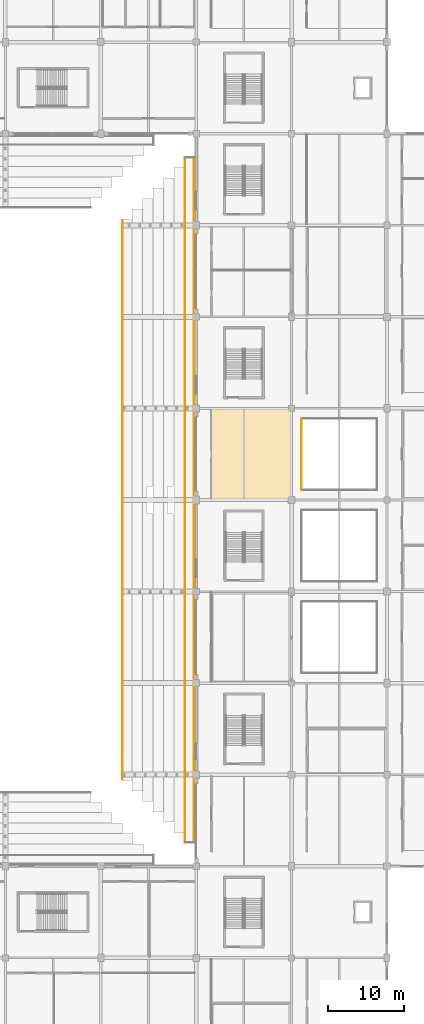
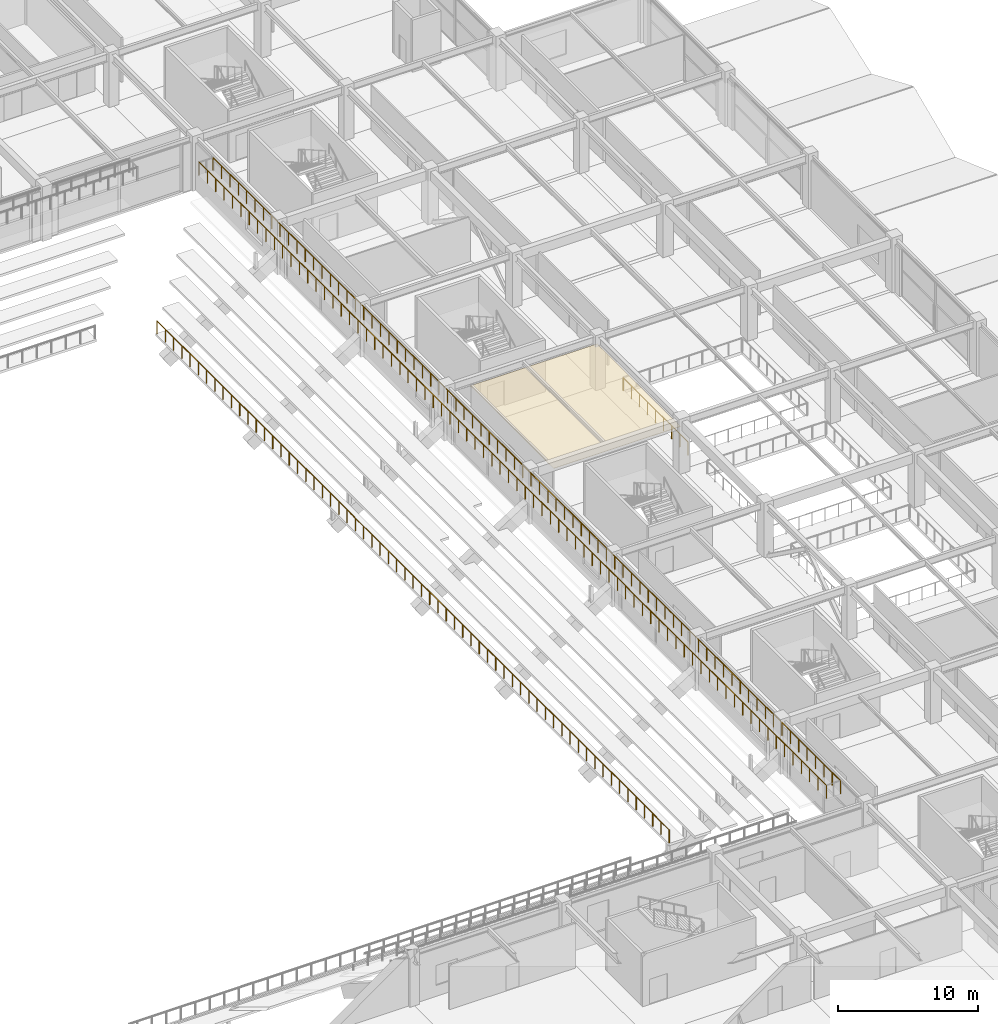
# One storey, part 120 of 134: 4 railings, 1 covering.
"""IFC4 building model written with IfcOpenShell, lengths in metres."""

from ifc_helpers import new_model, si_unit, direction, frame, origin, origin_2d, place, context, subcontext, project, spatial, polyline, circle, outline, extrude, material, layer, layer_set, type_object, element, save


model = new_model("IFC4")

# Units and contexts
model_context = context("Model", 3, precision=1e-05, world=origin(), true_north=direction((0.0, 1.0)))
body_context = subcontext(model_context, "Body", "Model", "MODEL_VIEW")
ifc_project = project(units=[si_unit("LENGTHUNIT", "METRE"), si_unit("AREAUNIT", "SQUARE_METRE"), si_unit("VOLUMEUNIT", "CUBIC_METRE"), si_unit("PLANEANGLEUNIT", "RADIAN"), si_unit("MASSUNIT", "GRAM", prefix="KILO")], contexts=[model_context])

# Site, building, storey
site_placement = place(None, origin())
site = spatial("IfcSite", under=ifc_project, at=site_placement, CompositionType="ELEMENT")
building_placement = place(site_placement, origin())
building = spatial("IfcBuilding", under=site, at=building_placement, Name="Kazenohara Klinker Stadium", CompositionType="ELEMENT")
storey_placement = place(building_placement, frame((0.0, 0.0, 5.39990234375)))
storey = spatial("IfcBuildingStorey", under=building, at=storey_placement, Name="L01", CompositionType="ELEMENT", Elevation=5.39990234375)

# Covering
ifc_material_1 = material(Name="Perforated acoustic mineral-fibre ceiling tile", Category="gypsum")
ifc_layer_1 = layer(ifc_material_1, 0.030029296875)
ifc_layer_set_1 = layer_set([ifc_layer_1], Name="Perforated acoustic mineral-fibre ceiling tile")
covering_type = type_object("IfcCoveringType", Name="COV-CEIL-01", PredefinedType="CEILING", material=ifc_layer_set_1)
covering_placement = place(storey_placement, frame((0.0, 0.0, 3.75)))
element("IfcCovering", 1, at=covering_placement, inside=storey, type_object=covering_type, Name="Suspended acoustic ceiling CL01 Family Sensory Hospitality Lounge L01-1407A", PredefinedType="CEILING", context=body_context, shape_type="SweptSolid", body=[
    extrude(outline(polyline([(176.9599609375, 84.0400390625), (187.43994140625, 84.0400390625), (187.43994140625, 95.9599609375), (176.9599609375, 95.9599609375), (176.9599609375, 84.0400390625)])), origin(), (0.0, 0.0, 1.0), 0.030029296875),
])

# Railings
ifc_material_2 = material(Name="Tempered laminated glass and stainless steel 316 balustrade", Category="steel")
ifc_layer_2 = layer(ifc_material_2, 0.090087890625)
ifc_layer_set_2 = layer_set([ifc_layer_2], Name="Tempered laminated glass and stainless steel 316 balustrade")
railing_type_1 = type_object("IfcRailingType", Name="RL-BAL-1150", PredefinedType="BALUSTRADE", material=ifc_layer_set_2)
railing_1_placement = place(storey_placement, frame((188.820068359375, 85.3701171875, 0.0)))
element("IfcRailing", 2, at=railing_1_placement, inside=storey, type_object=railing_type_1, Name="Double-height atrium gallery balustrade BL01-V07-W", PredefinedType="BALUSTRADE", context=body_context, shape_type="SweptSolid", body=[
    extrude(circle(Radius=0.02392578125, at=origin_2d()), frame((0.0, 0.0, 1.1259765625), z_axis=(0.0, 1.0, 0.0), x_axis=(-1.0, 0.0, 0.0)), (0.0, 0.0, 1.0), 9.259765625),
    extrude(circle(Radius=0.02099609375, at=origin_2d()), origin(), (0.0, 0.0, 1.0), 1.101806640625),
    extrude(circle(Radius=0.02099609375, at=origin_2d()), frame((0.0, 1.157470703125, 0.0)), (0.0, 0.0, 1.0), 1.101806640625),
    extrude(circle(Radius=0.02099609375, at=origin_2d()), frame((0.0, 2.31494140625, 0.0)), (0.0, 0.0, 1.0), 1.101806640625),
    extrude(circle(Radius=0.02099609375, at=origin_2d()), frame((0.0, 3.472412109375, 0.0)), (0.0, 0.0, 1.0), 1.101806640625),
    extrude(circle(Radius=0.02099609375, at=origin_2d()), frame((0.0, 4.6298828125, 0.0)), (0.0, 0.0, 1.0), 1.101806640625),
    extrude(circle(Radius=0.02099609375, at=origin_2d()), frame((0.0, 5.787353515625, 0.0)), (0.0, 0.0, 1.0), 1.101806640625),
    extrude(circle(Radius=0.02099609375, at=origin_2d()), frame((0.0, 6.94482421875, 0.0)), (0.0, 0.0, 1.0), 1.101806640625),
    extrude(circle(Radius=0.02099609375, at=origin_2d()), frame((0.0, 8.102294921875, 0.0)), (0.0, 0.0, 1.0), 1.101806640625),
    extrude(circle(Radius=0.02099609375, at=origin_2d()), frame((0.0, 9.259765625, 0.0)), (0.0, 0.0, 1.0), 1.101806640625),
])
ifc_material_3 = material(Name="Galvanised powder-coated steel guardrail", Category="steel")
ifc_layer_3 = layer(ifc_material_3, 0.070068359375)
ifc_layer_set_3 = layer_set([ifc_layer_3], Name="Galvanised powder-coated steel guardrail")
railing_type_2 = type_object("IfcRailingType", Name="RL-GRD-1150", PredefinedType="GUARDRAIL", material=ifc_layer_set_3)
railing_2_placement = place(storey_placement, frame((173.548583984375, 39.09130859375, 3.400146484375)))
element("IfcRailing", 3, at=railing_2_placement, inside=storey, type_object=railing_type_2, Name="Spectator stand sightline guardrail TIER-LOWER-E-01-W", PredefinedType="GUARDRAIL", context=body_context, shape_type="SweptSolid", body=[
    extrude(circle(Radius=0.02392578125, at=origin_2d()), frame((0.0, 0.0, 1.1259765625), z_axis=(0.0, 1.0, 0.0), x_axis=(-1.0, 0.0, 0.0)), (0.0, 0.0, 1.0), 89.8173828125),
    extrude(circle(Radius=0.02099609375, at=origin_2d()), origin(), (0.0, 0.0, 1.0), 1.101806640625),
    extrude(circle(Radius=0.02099609375, at=origin_2d()), frame((0.0, 1.197509765625, 0.0)), (0.0, 0.0, 1.0), 1.101806640625),
    extrude(circle(Radius=0.02099609375, at=origin_2d()), frame((0.0, 2.39501953125, 0.0)), (0.0, 0.0, 1.0), 1.101806640625),
    extrude(circle(Radius=0.02099609375, at=origin_2d()), frame((0.0, 3.5927734375, 0.0)), (0.0, 0.0, 1.0), 1.101806640625),
    extrude(circle(Radius=0.02099609375, at=origin_2d()), frame((0.0, 4.790283203125, 0.0)), (0.0, 0.0, 1.0), 1.101806640625),
    extrude(circle(Radius=0.02099609375, at=origin_2d()), frame((0.0, 5.98779296875, 0.0)), (0.0, 0.0, 1.0), 1.101806640625),
    extrude(circle(Radius=0.02099609375, at=origin_2d()), frame((0.0, 7.185302734375, 0.0)), (0.0, 0.0, 1.0), 1.101806640625),
    extrude(circle(Radius=0.02099609375, at=origin_2d()), frame((0.0, 8.383056640625, 0.0)), (0.0, 0.0, 1.0), 1.101806640625),
    extrude(circle(Radius=0.02099609375, at=origin_2d()), frame((0.0, 9.58056640625, 0.0)), (0.0, 0.0, 1.0), 1.101806640625),
    extrude(circle(Radius=0.02099609375, at=origin_2d()), frame((0.0, 10.778076171875, 0.0)), (0.0, 0.0, 1.0), 1.101806640625),
    extrude(circle(Radius=0.02099609375, at=origin_2d()), frame((0.0, 11.9755859375, 0.0)), (0.0, 0.0, 1.0), 1.101806640625),
    extrude(circle(Radius=0.02099609375, at=origin_2d()), frame((0.0, 13.173095703125, 0.0)), (0.0, 0.0, 1.0), 1.101806640625),
    extrude(circle(Radius=0.02099609375, at=origin_2d()), frame((0.0, 14.370849609375, 0.0)), (0.0, 0.0, 1.0), 1.101806640625),
    extrude(circle(Radius=0.02099609375, at=origin_2d()), frame((0.0, 15.568359375, 0.0)), (0.0, 0.0, 1.0), 1.101806640625),
    extrude(circle(Radius=0.02099609375, at=origin_2d()), frame((0.0, 16.765869140625, 0.0)), (0.0, 0.0, 1.0), 1.101806640625),
    extrude(circle(Radius=0.02099609375, at=origin_2d()), frame((0.0, 17.96337890625, 0.0)), (0.0, 0.0, 1.0), 1.101806640625),
    extrude(circle(Radius=0.02099609375, at=origin_2d()), frame((0.0, 19.1611328125, 0.0)), (0.0, 0.0, 1.0), 1.101806640625),
    extrude(circle(Radius=0.02099609375, at=origin_2d()), frame((0.0, 20.358642578125, 0.0)), (0.0, 0.0, 1.0), 1.101806640625),
    extrude(circle(Radius=0.02099609375, at=origin_2d()), frame((0.0, 21.55615234375, 0.0)), (0.0, 0.0, 1.0), 1.101806640625),
    extrude(circle(Radius=0.02099609375, at=origin_2d()), frame((0.0, 22.753662109375, 0.0)), (0.0, 0.0, 1.0), 1.101806640625),
    extrude(circle(Radius=0.02099609375, at=origin_2d()), frame((0.0, 23.951416015625, 0.0)), (0.0, 0.0, 1.0), 1.101806640625),
    extrude(circle(Radius=0.02099609375, at=origin_2d()), frame((0.0, 25.14892578125, 0.0)), (0.0, 0.0, 1.0), 1.101806640625),
    extrude(circle(Radius=0.02099609375, at=origin_2d()), frame((0.0, 26.346435546875, 0.0)), (0.0, 0.0, 1.0), 1.101806640625),
    extrude(circle(Radius=0.02099609375, at=origin_2d()), frame((0.0, 27.5439453125, 0.0)), (0.0, 0.0, 1.0), 1.101806640625),
    extrude(circle(Radius=0.02099609375, at=origin_2d()), frame((0.0, 28.741455078125, 0.0)), (0.0, 0.0, 1.0), 1.101806640625),
    extrude(circle(Radius=0.02099609375, at=origin_2d()), frame((0.0, 29.939208984375, 0.0)), (0.0, 0.0, 1.0), 1.101806640625),
    extrude(circle(Radius=0.02099609375, at=origin_2d()), frame((0.0, 31.13671875, 0.0)), (0.0, 0.0, 1.0), 1.101806640625),
    extrude(circle(Radius=0.02099609375, at=origin_2d()), frame((0.0, 32.334228515625, 0.0)), (0.0, 0.0, 1.0), 1.101806640625),
    extrude(circle(Radius=0.02099609375, at=origin_2d()), frame((0.0, 33.53173828125, 0.0)), (0.0, 0.0, 1.0), 1.101806640625),
    extrude(circle(Radius=0.02099609375, at=origin_2d()), frame((0.0, 34.7294921875, 0.0)), (0.0, 0.0, 1.0), 1.101806640625),
    extrude(circle(Radius=0.02099609375, at=origin_2d()), frame((0.0, 35.927001953125, 0.0)), (0.0, 0.0, 1.0), 1.101806640625),
    extrude(circle(Radius=0.02099609375, at=origin_2d()), frame((0.0, 37.12451171875, 0.0)), (0.0, 0.0, 1.0), 1.101806640625),
    extrude(circle(Radius=0.02099609375, at=origin_2d()), frame((0.0, 38.322021484375, 0.0)), (0.0, 0.0, 1.0), 1.101806640625),
    extrude(circle(Radius=0.02099609375, at=origin_2d()), frame((0.0, 39.51953125, 0.0)), (0.0, 0.0, 1.0), 1.101806640625),
    extrude(circle(Radius=0.02099609375, at=origin_2d()), frame((0.0, 40.71728515625, 0.0)), (0.0, 0.0, 1.0), 1.101806640625),
    extrude(circle(Radius=0.02099609375, at=origin_2d()), frame((0.0, 41.914794921875, 0.0)), (0.0, 0.0, 1.0), 1.101806640625),
    extrude(circle(Radius=0.02099609375, at=origin_2d()), frame((0.0, 43.1123046875, 0.0)), (0.0, 0.0, 1.0), 1.101806640625),
    extrude(circle(Radius=0.02099609375, at=origin_2d()), frame((0.0, 44.309814453125, 0.0)), (0.0, 0.0, 1.0), 1.101806640625),
    extrude(circle(Radius=0.02099609375, at=origin_2d()), frame((0.0, 45.507568359375, 0.0)), (0.0, 0.0, 1.0), 1.101806640625),
    extrude(circle(Radius=0.02099609375, at=origin_2d()), frame((0.0, 46.705078125, 0.0)), (0.0, 0.0, 1.0), 1.101806640625),
    extrude(circle(Radius=0.02099609375, at=origin_2d()), frame((0.0, 47.902587890625, 0.0)), (0.0, 0.0, 1.0), 1.101806640625),
    extrude(circle(Radius=0.02099609375, at=origin_2d()), frame((0.0, 49.10009765625, 0.0)), (0.0, 0.0, 1.0), 1.101806640625),
    extrude(circle(Radius=0.02099609375, at=origin_2d()), frame((0.0, 50.2978515625, 0.0)), (0.0, 0.0, 1.0), 1.101806640625),
    extrude(circle(Radius=0.02099609375, at=origin_2d()), frame((0.0, 51.495361328125, 0.0)), (0.0, 0.0, 1.0), 1.101806640625),
    extrude(circle(Radius=0.02099609375, at=origin_2d()), frame((0.0, 52.69287109375, 0.0)), (0.0, 0.0, 1.0), 1.101806640625),
    extrude(circle(Radius=0.02099609375, at=origin_2d()), frame((0.0, 53.890380859375, 0.0)), (0.0, 0.0, 1.0), 1.101806640625),
    extrude(circle(Radius=0.02099609375, at=origin_2d()), frame((0.0, 55.087890625, 0.0)), (0.0, 0.0, 1.0), 1.101806640625),
    extrude(circle(Radius=0.02099609375, at=origin_2d()), frame((0.0, 56.28564453125, 0.0)), (0.0, 0.0, 1.0), 1.101806640625),
    extrude(circle(Radius=0.02099609375, at=origin_2d()), frame((0.0, 57.483154296875, 0.0)), (0.0, 0.0, 1.0), 1.101806640625),
    extrude(circle(Radius=0.02099609375, at=origin_2d()), frame((0.0, 58.6806640625, 0.0)), (0.0, 0.0, 1.0), 1.101806640625),
    extrude(circle(Radius=0.02099609375, at=origin_2d()), frame((0.0, 59.878173828125, 0.0)), (0.0, 0.0, 1.0), 1.101806640625),
    extrude(circle(Radius=0.02099609375, at=origin_2d()), frame((0.0, 61.075927734375, 0.0)), (0.0, 0.0, 1.0), 1.101806640625),
    extrude(circle(Radius=0.02099609375, at=origin_2d()), frame((0.0, 62.2734375, 0.0)), (0.0, 0.0, 1.0), 1.101806640625),
    extrude(circle(Radius=0.02099609375, at=origin_2d()), frame((0.0, 63.470947265625, 0.0)), (0.0, 0.0, 1.0), 1.101806640625),
    extrude(circle(Radius=0.02099609375, at=origin_2d()), frame((0.0, 64.66845703125, 0.0)), (0.0, 0.0, 1.0), 1.101806640625),
    extrude(circle(Radius=0.02099609375, at=origin_2d()), frame((0.0, 65.865966796875, 0.0)), (0.0, 0.0, 1.0), 1.101806640625),
    extrude(circle(Radius=0.02099609375, at=origin_2d()), frame((0.0, 67.063720703125, 0.0)), (0.0, 0.0, 1.0), 1.101806640625),
    extrude(circle(Radius=0.02099609375, at=origin_2d()), frame((0.0, 68.26123046875, 0.0)), (0.0, 0.0, 1.0), 1.101806640625),
    extrude(circle(Radius=0.02099609375, at=origin_2d()), frame((0.0, 69.458740234375, 0.0)), (0.0, 0.0, 1.0), 1.101806640625),
    extrude(circle(Radius=0.02099609375, at=origin_2d()), frame((0.0, 70.65625, 0.0)), (0.0, 0.0, 1.0), 1.101806640625),
    extrude(circle(Radius=0.02099609375, at=origin_2d()), frame((0.0, 71.85400390625, 0.0)), (0.0, 0.0, 1.0), 1.101806640625),
    extrude(circle(Radius=0.02099609375, at=origin_2d()), frame((0.0, 73.051513671875, 0.0)), (0.0, 0.0, 1.0), 1.101806640625),
    extrude(circle(Radius=0.02099609375, at=origin_2d()), frame((0.0, 74.2490234375, 0.0)), (0.0, 0.0, 1.0), 1.101806640625),
    extrude(circle(Radius=0.02099609375, at=origin_2d()), frame((0.0, 75.446533203125, 0.0)), (0.0, 0.0, 1.0), 1.101806640625),
    extrude(circle(Radius=0.02099609375, at=origin_2d()), frame((0.0, 76.644287109375, 0.0)), (0.0, 0.0, 1.0), 1.101806640625),
    extrude(circle(Radius=0.02099609375, at=origin_2d()), frame((0.0, 77.841796875, 0.0)), (0.0, 0.0, 1.0), 1.101806640625),
    extrude(circle(Radius=0.02099609375, at=origin_2d()), frame((0.0, 79.039306640625, 0.0)), (0.0, 0.0, 1.0), 1.101806640625),
    extrude(circle(Radius=0.02099609375, at=origin_2d()), frame((0.0, 80.23681640625, 0.0)), (0.0, 0.0, 1.0), 1.101806640625),
    extrude(circle(Radius=0.02099609375, at=origin_2d()), frame((0.0, 81.434326171875, 0.0)), (0.0, 0.0, 1.0), 1.101806640625),
    extrude(circle(Radius=0.02099609375, at=origin_2d()), frame((0.0, 82.632080078125, 0.0)), (0.0, 0.0, 1.0), 1.101806640625),
    extrude(circle(Radius=0.02099609375, at=origin_2d()), frame((0.0, 83.82958984375, 0.0)), (0.0, 0.0, 1.0), 1.101806640625),
    extrude(circle(Radius=0.02099609375, at=origin_2d()), frame((0.0, 85.027099609375, 0.0)), (0.0, 0.0, 1.0), 1.101806640625),
    extrude(circle(Radius=0.02099609375, at=origin_2d()), frame((0.0, 86.224609375, 0.0)), (0.0, 0.0, 1.0), 1.101806640625),
    extrude(circle(Radius=0.02099609375, at=origin_2d()), frame((0.0, 87.42236328125, 0.0)), (0.0, 0.0, 1.0), 1.101806640625),
    extrude(circle(Radius=0.02099609375, at=origin_2d()), frame((0.0, 88.619873046875, 0.0)), (0.0, 0.0, 1.0), 1.101806640625),
    extrude(circle(Radius=0.02099609375, at=origin_2d()), frame((0.0, 89.8173828125, 0.0)), (0.0, 0.0, 1.0), 1.101806640625),
])
railing_3_placement = place(storey_placement, frame((174.719970703125, 39.09130859375, 3.400146484375)))
element("IfcRailing", 4, at=railing_3_placement, inside=storey, type_object=railing_type_2, Name="Spectator stand sightline guardrail TIER-LOWER-E-01-E", PredefinedType="GUARDRAIL", context=body_context, shape_type="SweptSolid", body=[
    extrude(circle(Radius=0.02392578125, at=origin_2d()), frame((0.0, 0.0, 1.1259765625), z_axis=(0.0, 1.0, 0.0), x_axis=(-1.0, 0.0, 0.0)), (0.0, 0.0, 1.0), 89.8173828125),
    extrude(circle(Radius=0.02099609375, at=origin_2d()), origin(), (0.0, 0.0, 1.0), 1.101806640625),
    extrude(circle(Radius=0.02099609375, at=origin_2d()), frame((0.0, 1.197509765625, 0.0)), (0.0, 0.0, 1.0), 1.101806640625),
    extrude(circle(Radius=0.02099609375, at=origin_2d()), frame((0.0, 2.39501953125, 0.0)), (0.0, 0.0, 1.0), 1.101806640625),
    extrude(circle(Radius=0.02099609375, at=origin_2d()), frame((0.0, 3.5927734375, 0.0)), (0.0, 0.0, 1.0), 1.101806640625),
    extrude(circle(Radius=0.02099609375, at=origin_2d()), frame((0.0, 4.790283203125, 0.0)), (0.0, 0.0, 1.0), 1.101806640625),
    extrude(circle(Radius=0.02099609375, at=origin_2d()), frame((0.0, 5.98779296875, 0.0)), (0.0, 0.0, 1.0), 1.101806640625),
    extrude(circle(Radius=0.02099609375, at=origin_2d()), frame((0.0, 7.185302734375, 0.0)), (0.0, 0.0, 1.0), 1.101806640625),
    extrude(circle(Radius=0.02099609375, at=origin_2d()), frame((0.0, 8.383056640625, 0.0)), (0.0, 0.0, 1.0), 1.101806640625),
    extrude(circle(Radius=0.02099609375, at=origin_2d()), frame((0.0, 9.58056640625, 0.0)), (0.0, 0.0, 1.0), 1.101806640625),
    extrude(circle(Radius=0.02099609375, at=origin_2d()), frame((0.0, 10.778076171875, 0.0)), (0.0, 0.0, 1.0), 1.101806640625),
    extrude(circle(Radius=0.02099609375, at=origin_2d()), frame((0.0, 11.9755859375, 0.0)), (0.0, 0.0, 1.0), 1.101806640625),
    extrude(circle(Radius=0.02099609375, at=origin_2d()), frame((0.0, 13.173095703125, 0.0)), (0.0, 0.0, 1.0), 1.101806640625),
    extrude(circle(Radius=0.02099609375, at=origin_2d()), frame((0.0, 14.370849609375, 0.0)), (0.0, 0.0, 1.0), 1.101806640625),
    extrude(circle(Radius=0.02099609375, at=origin_2d()), frame((0.0, 15.568359375, 0.0)), (0.0, 0.0, 1.0), 1.101806640625),
    extrude(circle(Radius=0.02099609375, at=origin_2d()), frame((0.0, 16.765869140625, 0.0)), (0.0, 0.0, 1.0), 1.101806640625),
    extrude(circle(Radius=0.02099609375, at=origin_2d()), frame((0.0, 17.96337890625, 0.0)), (0.0, 0.0, 1.0), 1.101806640625),
    extrude(circle(Radius=0.02099609375, at=origin_2d()), frame((0.0, 19.1611328125, 0.0)), (0.0, 0.0, 1.0), 1.101806640625),
    extrude(circle(Radius=0.02099609375, at=origin_2d()), frame((0.0, 20.358642578125, 0.0)), (0.0, 0.0, 1.0), 1.101806640625),
    extrude(circle(Radius=0.02099609375, at=origin_2d()), frame((0.0, 21.55615234375, 0.0)), (0.0, 0.0, 1.0), 1.101806640625),
    extrude(circle(Radius=0.02099609375, at=origin_2d()), frame((0.0, 22.753662109375, 0.0)), (0.0, 0.0, 1.0), 1.101806640625),
    extrude(circle(Radius=0.02099609375, at=origin_2d()), frame((0.0, 23.951416015625, 0.0)), (0.0, 0.0, 1.0), 1.101806640625),
    extrude(circle(Radius=0.02099609375, at=origin_2d()), frame((0.0, 25.14892578125, 0.0)), (0.0, 0.0, 1.0), 1.101806640625),
    extrude(circle(Radius=0.02099609375, at=origin_2d()), frame((0.0, 26.346435546875, 0.0)), (0.0, 0.0, 1.0), 1.101806640625),
    extrude(circle(Radius=0.02099609375, at=origin_2d()), frame((0.0, 27.5439453125, 0.0)), (0.0, 0.0, 1.0), 1.101806640625),
    extrude(circle(Radius=0.02099609375, at=origin_2d()), frame((0.0, 28.741455078125, 0.0)), (0.0, 0.0, 1.0), 1.101806640625),
    extrude(circle(Radius=0.02099609375, at=origin_2d()), frame((0.0, 29.939208984375, 0.0)), (0.0, 0.0, 1.0), 1.101806640625),
    extrude(circle(Radius=0.02099609375, at=origin_2d()), frame((0.0, 31.13671875, 0.0)), (0.0, 0.0, 1.0), 1.101806640625),
    extrude(circle(Radius=0.02099609375, at=origin_2d()), frame((0.0, 32.334228515625, 0.0)), (0.0, 0.0, 1.0), 1.101806640625),
    extrude(circle(Radius=0.02099609375, at=origin_2d()), frame((0.0, 33.53173828125, 0.0)), (0.0, 0.0, 1.0), 1.101806640625),
    extrude(circle(Radius=0.02099609375, at=origin_2d()), frame((0.0, 34.7294921875, 0.0)), (0.0, 0.0, 1.0), 1.101806640625),
    extrude(circle(Radius=0.02099609375, at=origin_2d()), frame((0.0, 35.927001953125, 0.0)), (0.0, 0.0, 1.0), 1.101806640625),
    extrude(circle(Radius=0.02099609375, at=origin_2d()), frame((0.0, 37.12451171875, 0.0)), (0.0, 0.0, 1.0), 1.101806640625),
    extrude(circle(Radius=0.02099609375, at=origin_2d()), frame((0.0, 38.322021484375, 0.0)), (0.0, 0.0, 1.0), 1.101806640625),
    extrude(circle(Radius=0.02099609375, at=origin_2d()), frame((0.0, 39.51953125, 0.0)), (0.0, 0.0, 1.0), 1.101806640625),
    extrude(circle(Radius=0.02099609375, at=origin_2d()), frame((0.0, 40.71728515625, 0.0)), (0.0, 0.0, 1.0), 1.101806640625),
    extrude(circle(Radius=0.02099609375, at=origin_2d()), frame((0.0, 41.914794921875, 0.0)), (0.0, 0.0, 1.0), 1.101806640625),
    extrude(circle(Radius=0.02099609375, at=origin_2d()), frame((0.0, 43.1123046875, 0.0)), (0.0, 0.0, 1.0), 1.101806640625),
    extrude(circle(Radius=0.02099609375, at=origin_2d()), frame((0.0, 44.309814453125, 0.0)), (0.0, 0.0, 1.0), 1.101806640625),
    extrude(circle(Radius=0.02099609375, at=origin_2d()), frame((0.0, 45.507568359375, 0.0)), (0.0, 0.0, 1.0), 1.101806640625),
    extrude(circle(Radius=0.02099609375, at=origin_2d()), frame((0.0, 46.705078125, 0.0)), (0.0, 0.0, 1.0), 1.101806640625),
    extrude(circle(Radius=0.02099609375, at=origin_2d()), frame((0.0, 47.902587890625, 0.0)), (0.0, 0.0, 1.0), 1.101806640625),
    extrude(circle(Radius=0.02099609375, at=origin_2d()), frame((0.0, 49.10009765625, 0.0)), (0.0, 0.0, 1.0), 1.101806640625),
    extrude(circle(Radius=0.02099609375, at=origin_2d()), frame((0.0, 50.2978515625, 0.0)), (0.0, 0.0, 1.0), 1.101806640625),
    extrude(circle(Radius=0.02099609375, at=origin_2d()), frame((0.0, 51.495361328125, 0.0)), (0.0, 0.0, 1.0), 1.101806640625),
    extrude(circle(Radius=0.02099609375, at=origin_2d()), frame((0.0, 52.69287109375, 0.0)), (0.0, 0.0, 1.0), 1.101806640625),
    extrude(circle(Radius=0.02099609375, at=origin_2d()), frame((0.0, 53.890380859375, 0.0)), (0.0, 0.0, 1.0), 1.101806640625),
    extrude(circle(Radius=0.02099609375, at=origin_2d()), frame((0.0, 55.087890625, 0.0)), (0.0, 0.0, 1.0), 1.101806640625),
    extrude(circle(Radius=0.02099609375, at=origin_2d()), frame((0.0, 56.28564453125, 0.0)), (0.0, 0.0, 1.0), 1.101806640625),
    extrude(circle(Radius=0.02099609375, at=origin_2d()), frame((0.0, 57.483154296875, 0.0)), (0.0, 0.0, 1.0), 1.101806640625),
    extrude(circle(Radius=0.02099609375, at=origin_2d()), frame((0.0, 58.6806640625, 0.0)), (0.0, 0.0, 1.0), 1.101806640625),
    extrude(circle(Radius=0.02099609375, at=origin_2d()), frame((0.0, 59.878173828125, 0.0)), (0.0, 0.0, 1.0), 1.101806640625),
    extrude(circle(Radius=0.02099609375, at=origin_2d()), frame((0.0, 61.075927734375, 0.0)), (0.0, 0.0, 1.0), 1.101806640625),
    extrude(circle(Radius=0.02099609375, at=origin_2d()), frame((0.0, 62.2734375, 0.0)), (0.0, 0.0, 1.0), 1.101806640625),
    extrude(circle(Radius=0.02099609375, at=origin_2d()), frame((0.0, 63.470947265625, 0.0)), (0.0, 0.0, 1.0), 1.101806640625),
    extrude(circle(Radius=0.02099609375, at=origin_2d()), frame((0.0, 64.66845703125, 0.0)), (0.0, 0.0, 1.0), 1.101806640625),
    extrude(circle(Radius=0.02099609375, at=origin_2d()), frame((0.0, 65.865966796875, 0.0)), (0.0, 0.0, 1.0), 1.101806640625),
    extrude(circle(Radius=0.02099609375, at=origin_2d()), frame((0.0, 67.063720703125, 0.0)), (0.0, 0.0, 1.0), 1.101806640625),
    extrude(circle(Radius=0.02099609375, at=origin_2d()), frame((0.0, 68.26123046875, 0.0)), (0.0, 0.0, 1.0), 1.101806640625),
    extrude(circle(Radius=0.02099609375, at=origin_2d()), frame((0.0, 69.458740234375, 0.0)), (0.0, 0.0, 1.0), 1.101806640625),
    extrude(circle(Radius=0.02099609375, at=origin_2d()), frame((0.0, 70.65625, 0.0)), (0.0, 0.0, 1.0), 1.101806640625),
    extrude(circle(Radius=0.02099609375, at=origin_2d()), frame((0.0, 71.85400390625, 0.0)), (0.0, 0.0, 1.0), 1.101806640625),
    extrude(circle(Radius=0.02099609375, at=origin_2d()), frame((0.0, 73.051513671875, 0.0)), (0.0, 0.0, 1.0), 1.101806640625),
    extrude(circle(Radius=0.02099609375, at=origin_2d()), frame((0.0, 74.2490234375, 0.0)), (0.0, 0.0, 1.0), 1.101806640625),
    extrude(circle(Radius=0.02099609375, at=origin_2d()), frame((0.0, 75.446533203125, 0.0)), (0.0, 0.0, 1.0), 1.101806640625),
    extrude(circle(Radius=0.02099609375, at=origin_2d()), frame((0.0, 76.644287109375, 0.0)), (0.0, 0.0, 1.0), 1.101806640625),
    extrude(circle(Radius=0.02099609375, at=origin_2d()), frame((0.0, 77.841796875, 0.0)), (0.0, 0.0, 1.0), 1.101806640625),
    extrude(circle(Radius=0.02099609375, at=origin_2d()), frame((0.0, 79.039306640625, 0.0)), (0.0, 0.0, 1.0), 1.101806640625),
    extrude(circle(Radius=0.02099609375, at=origin_2d()), frame((0.0, 80.23681640625, 0.0)), (0.0, 0.0, 1.0), 1.101806640625),
    extrude(circle(Radius=0.02099609375, at=origin_2d()), frame((0.0, 81.434326171875, 0.0)), (0.0, 0.0, 1.0), 1.101806640625),
    extrude(circle(Radius=0.02099609375, at=origin_2d()), frame((0.0, 82.632080078125, 0.0)), (0.0, 0.0, 1.0), 1.101806640625),
    extrude(circle(Radius=0.02099609375, at=origin_2d()), frame((0.0, 83.82958984375, 0.0)), (0.0, 0.0, 1.0), 1.101806640625),
    extrude(circle(Radius=0.02099609375, at=origin_2d()), frame((0.0, 85.027099609375, 0.0)), (0.0, 0.0, 1.0), 1.101806640625),
    extrude(circle(Radius=0.02099609375, at=origin_2d()), frame((0.0, 86.224609375, 0.0)), (0.0, 0.0, 1.0), 1.101806640625),
    extrude(circle(Radius=0.02099609375, at=origin_2d()), frame((0.0, 87.42236328125, 0.0)), (0.0, 0.0, 1.0), 1.101806640625),
    extrude(circle(Radius=0.02099609375, at=origin_2d()), frame((0.0, 88.619873046875, 0.0)), (0.0, 0.0, 1.0), 1.101806640625),
    extrude(circle(Radius=0.02099609375, at=origin_2d()), frame((0.0, 89.8173828125, 0.0)), (0.0, 0.0, 1.0), 1.101806640625),
])
railing_4_placement = place(storey_placement, frame((165.320068359375, 47.340087890625, -2.599853515625)))
element("IfcRailing", 5, at=railing_4_placement, inside=storey, type_object=railing_type_2, Name="Spectator stand sightline guardrail TIER-LOWER-E-07", PredefinedType="GUARDRAIL", context=body_context, shape_type="SweptSolid", body=[
    extrude(circle(Radius=0.02392578125, at=origin_2d()), frame((0.0, 0.0, 1.1259765625), z_axis=(0.0, 1.0, 0.0), x_axis=(-1.0, 0.0, 0.0)), (0.0, 0.0, 1.0), 73.31982421875),
    extrude(circle(Radius=0.02099609375, at=origin_2d()), origin(), (0.0, 0.0, 1.0), 1.101806640625),
    extrude(circle(Radius=0.02099609375, at=origin_2d()), frame((0.0, 1.1826171875, 0.0)), (0.0, 0.0, 1.0), 1.101806640625),
    extrude(circle(Radius=0.02099609375, at=origin_2d()), frame((0.0, 2.365234375, 0.0)), (0.0, 0.0, 1.0), 1.101806640625),
    extrude(circle(Radius=0.02099609375, at=origin_2d()), frame((0.0, 3.5478515625, 0.0)), (0.0, 0.0, 1.0), 1.101806640625),
    extrude(circle(Radius=0.02099609375, at=origin_2d()), frame((0.0, 4.730224609375, 0.0)), (0.0, 0.0, 1.0), 1.101806640625),
    extrude(circle(Radius=0.02099609375, at=origin_2d()), frame((0.0, 5.912841796875, 0.0)), (0.0, 0.0, 1.0), 1.101806640625),
    extrude(circle(Radius=0.02099609375, at=origin_2d()), frame((0.0, 7.095458984375, 0.0)), (0.0, 0.0, 1.0), 1.101806640625),
    extrude(circle(Radius=0.02099609375, at=origin_2d()), frame((0.0, 8.278076171875, 0.0)), (0.0, 0.0, 1.0), 1.101806640625),
    extrude(circle(Radius=0.02099609375, at=origin_2d()), frame((0.0, 9.460693359375, 0.0)), (0.0, 0.0, 1.0), 1.101806640625),
    extrude(circle(Radius=0.02099609375, at=origin_2d()), frame((0.0, 10.643310546875, 0.0)), (0.0, 0.0, 1.0), 1.101806640625),
    extrude(circle(Radius=0.02099609375, at=origin_2d()), frame((0.0, 11.82568359375, 0.0)), (0.0, 0.0, 1.0), 1.101806640625),
    extrude(circle(Radius=0.02099609375, at=origin_2d()), frame((0.0, 13.00830078125, 0.0)), (0.0, 0.0, 1.0), 1.101806640625),
    extrude(circle(Radius=0.02099609375, at=origin_2d()), frame((0.0, 14.19091796875, 0.0)), (0.0, 0.0, 1.0), 1.101806640625),
    extrude(circle(Radius=0.02099609375, at=origin_2d()), frame((0.0, 15.37353515625, 0.0)), (0.0, 0.0, 1.0), 1.101806640625),
    extrude(circle(Radius=0.02099609375, at=origin_2d()), frame((0.0, 16.55615234375, 0.0)), (0.0, 0.0, 1.0), 1.101806640625),
    extrude(circle(Radius=0.02099609375, at=origin_2d()), frame((0.0, 17.73876953125, 0.0)), (0.0, 0.0, 1.0), 1.101806640625),
    extrude(circle(Radius=0.02099609375, at=origin_2d()), frame((0.0, 18.921142578125, 0.0)), (0.0, 0.0, 1.0), 1.101806640625),
    extrude(circle(Radius=0.02099609375, at=origin_2d()), frame((0.0, 20.103759765625, 0.0)), (0.0, 0.0, 1.0), 1.101806640625),
    extrude(circle(Radius=0.02099609375, at=origin_2d()), frame((0.0, 21.286376953125, 0.0)), (0.0, 0.0, 1.0), 1.101806640625),
    extrude(circle(Radius=0.02099609375, at=origin_2d()), frame((0.0, 22.468994140625, 0.0)), (0.0, 0.0, 1.0), 1.101806640625),
    extrude(circle(Radius=0.02099609375, at=origin_2d()), frame((0.0, 23.651611328125, 0.0)), (0.0, 0.0, 1.0), 1.101806640625),
    extrude(circle(Radius=0.02099609375, at=origin_2d()), frame((0.0, 24.834228515625, 0.0)), (0.0, 0.0, 1.0), 1.101806640625),
    extrude(circle(Radius=0.02099609375, at=origin_2d()), frame((0.0, 26.0166015625, 0.0)), (0.0, 0.0, 1.0), 1.101806640625),
    extrude(circle(Radius=0.02099609375, at=origin_2d()), frame((0.0, 27.19921875, 0.0)), (0.0, 0.0, 1.0), 1.101806640625),
    extrude(circle(Radius=0.02099609375, at=origin_2d()), frame((0.0, 28.3818359375, 0.0)), (0.0, 0.0, 1.0), 1.101806640625),
    extrude(circle(Radius=0.02099609375, at=origin_2d()), frame((0.0, 29.564453125, 0.0)), (0.0, 0.0, 1.0), 1.101806640625),
    extrude(circle(Radius=0.02099609375, at=origin_2d()), frame((0.0, 30.7470703125, 0.0)), (0.0, 0.0, 1.0), 1.101806640625),
    extrude(circle(Radius=0.02099609375, at=origin_2d()), frame((0.0, 31.9296875, 0.0)), (0.0, 0.0, 1.0), 1.101806640625),
    extrude(circle(Radius=0.02099609375, at=origin_2d()), frame((0.0, 33.112060546875, 0.0)), (0.0, 0.0, 1.0), 1.101806640625),
    extrude(circle(Radius=0.02099609375, at=origin_2d()), frame((0.0, 34.294677734375, 0.0)), (0.0, 0.0, 1.0), 1.101806640625),
    extrude(circle(Radius=0.02099609375, at=origin_2d()), frame((0.0, 35.477294921875, 0.0)), (0.0, 0.0, 1.0), 1.101806640625),
    extrude(circle(Radius=0.02099609375, at=origin_2d()), frame((0.0, 36.659912109375, 0.0)), (0.0, 0.0, 1.0), 1.101806640625),
    extrude(circle(Radius=0.02099609375, at=origin_2d()), frame((0.0, 37.842529296875, 0.0)), (0.0, 0.0, 1.0), 1.101806640625),
    extrude(circle(Radius=0.02099609375, at=origin_2d()), frame((0.0, 39.025146484375, 0.0)), (0.0, 0.0, 1.0), 1.101806640625),
    extrude(circle(Radius=0.02099609375, at=origin_2d()), frame((0.0, 40.207763671875, 0.0)), (0.0, 0.0, 1.0), 1.101806640625),
    extrude(circle(Radius=0.02099609375, at=origin_2d()), frame((0.0, 41.39013671875, 0.0)), (0.0, 0.0, 1.0), 1.101806640625),
    extrude(circle(Radius=0.02099609375, at=origin_2d()), frame((0.0, 42.57275390625, 0.0)), (0.0, 0.0, 1.0), 1.101806640625),
    extrude(circle(Radius=0.02099609375, at=origin_2d()), frame((0.0, 43.75537109375, 0.0)), (0.0, 0.0, 1.0), 1.101806640625),
    extrude(circle(Radius=0.02099609375, at=origin_2d()), frame((0.0, 44.93798828125, 0.0)), (0.0, 0.0, 1.0), 1.101806640625),
    extrude(circle(Radius=0.02099609375, at=origin_2d()), frame((0.0, 46.12060546875, 0.0)), (0.0, 0.0, 1.0), 1.101806640625),
    extrude(circle(Radius=0.02099609375, at=origin_2d()), frame((0.0, 47.30322265625, 0.0)), (0.0, 0.0, 1.0), 1.101806640625),
    extrude(circle(Radius=0.02099609375, at=origin_2d()), frame((0.0, 48.485595703125, 0.0)), (0.0, 0.0, 1.0), 1.101806640625),
    extrude(circle(Radius=0.02099609375, at=origin_2d()), frame((0.0, 49.668212890625, 0.0)), (0.0, 0.0, 1.0), 1.101806640625),
    extrude(circle(Radius=0.02099609375, at=origin_2d()), frame((0.0, 50.850830078125, 0.0)), (0.0, 0.0, 1.0), 1.101806640625),
    extrude(circle(Radius=0.02099609375, at=origin_2d()), frame((0.0, 52.033447265625, 0.0)), (0.0, 0.0, 1.0), 1.101806640625),
    extrude(circle(Radius=0.02099609375, at=origin_2d()), frame((0.0, 53.216064453125, 0.0)), (0.0, 0.0, 1.0), 1.101806640625),
    extrude(circle(Radius=0.02099609375, at=origin_2d()), frame((0.0, 54.398681640625, 0.0)), (0.0, 0.0, 1.0), 1.101806640625),
    extrude(circle(Radius=0.02099609375, at=origin_2d()), frame((0.0, 55.5810546875, 0.0)), (0.0, 0.0, 1.0), 1.101806640625),
    extrude(circle(Radius=0.02099609375, at=origin_2d()), frame((0.0, 56.763671875, 0.0)), (0.0, 0.0, 1.0), 1.101806640625),
    extrude(circle(Radius=0.02099609375, at=origin_2d()), frame((0.0, 57.9462890625, 0.0)), (0.0, 0.0, 1.0), 1.101806640625),
    extrude(circle(Radius=0.02099609375, at=origin_2d()), frame((0.0, 59.12890625, 0.0)), (0.0, 0.0, 1.0), 1.101806640625),
    extrude(circle(Radius=0.02099609375, at=origin_2d()), frame((0.0, 60.3115234375, 0.0)), (0.0, 0.0, 1.0), 1.101806640625),
    extrude(circle(Radius=0.02099609375, at=origin_2d()), frame((0.0, 61.494140625, 0.0)), (0.0, 0.0, 1.0), 1.101806640625),
    extrude(circle(Radius=0.02099609375, at=origin_2d()), frame((0.0, 62.676513671875, 0.0)), (0.0, 0.0, 1.0), 1.101806640625),
    extrude(circle(Radius=0.02099609375, at=origin_2d()), frame((0.0, 63.859130859375, 0.0)), (0.0, 0.0, 1.0), 1.101806640625),
    extrude(circle(Radius=0.02099609375, at=origin_2d()), frame((0.0, 65.041748046875, 0.0)), (0.0, 0.0, 1.0), 1.101806640625),
    extrude(circle(Radius=0.02099609375, at=origin_2d()), frame((0.0, 66.224365234375, 0.0)), (0.0, 0.0, 1.0), 1.101806640625),
    extrude(circle(Radius=0.02099609375, at=origin_2d()), frame((0.0, 67.406982421875, 0.0)), (0.0, 0.0, 1.0), 1.101806640625),
    extrude(circle(Radius=0.02099609375, at=origin_2d()), frame((0.0, 68.589599609375, 0.0)), (0.0, 0.0, 1.0), 1.101806640625),
    extrude(circle(Radius=0.02099609375, at=origin_2d()), frame((0.0, 69.77197265625, 0.0)), (0.0, 0.0, 1.0), 1.101806640625),
    extrude(circle(Radius=0.02099609375, at=origin_2d()), frame((0.0, 70.95458984375, 0.0)), (0.0, 0.0, 1.0), 1.101806640625),
    extrude(circle(Radius=0.02099609375, at=origin_2d()), frame((0.0, 72.13720703125, 0.0)), (0.0, 0.0, 1.0), 1.101806640625),
    extrude(circle(Radius=0.02099609375, at=origin_2d()), frame((0.0, 73.31982421875, 0.0)), (0.0, 0.0, 1.0), 1.101806640625),
])

save(model, "model.ifc")
